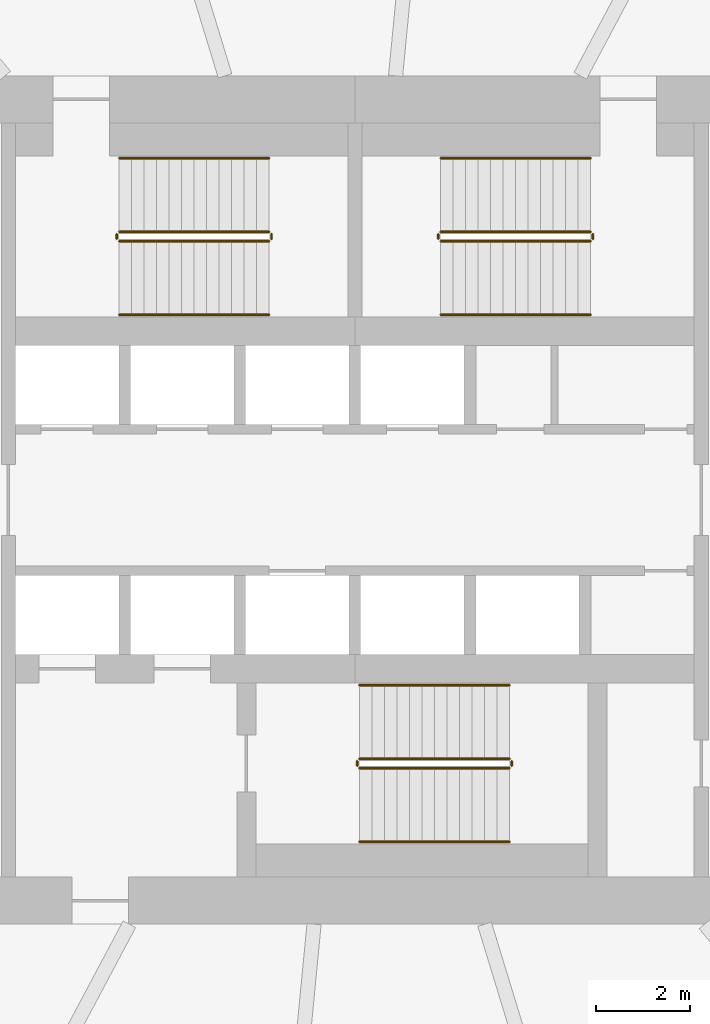
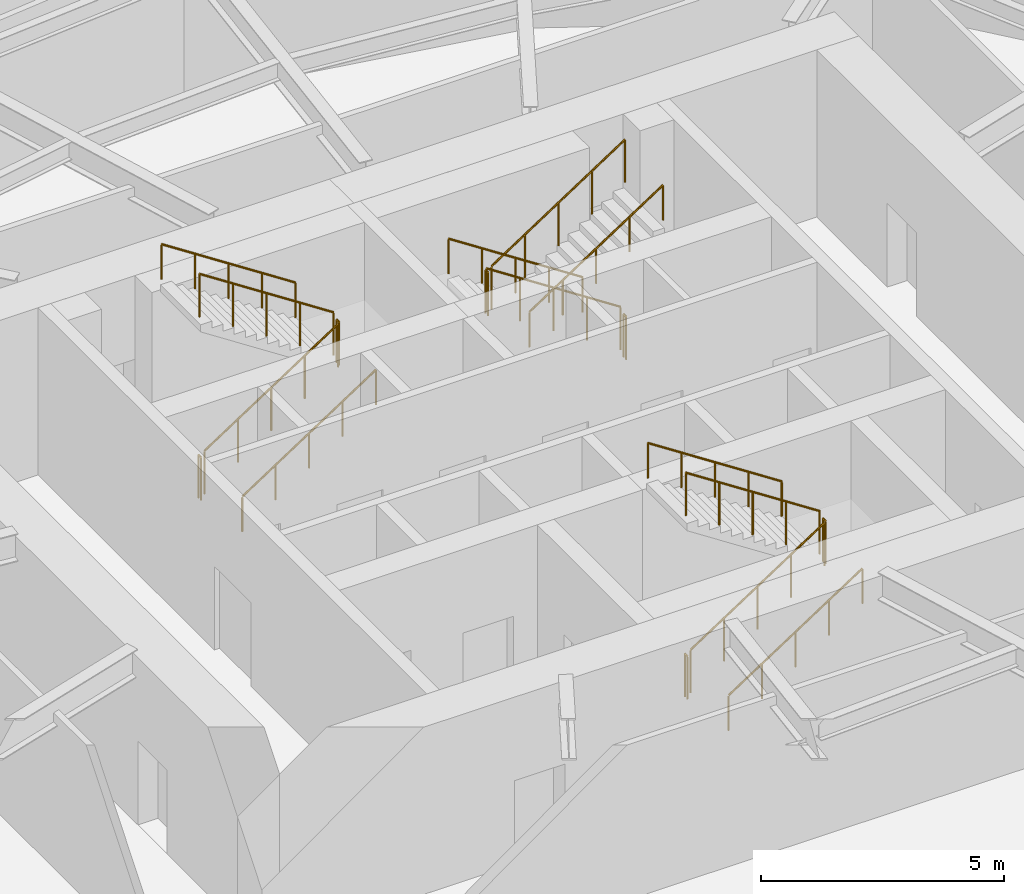
# One storey, part 23 of 23: 18 railings.
"""IFC4 building model written with IfcOpenShell, lengths in metres."""

from ifc_helpers import new_model, si_unit, direction, frame, origin, origin_2d, place, context, subcontext, project, spatial, circle, extrude, material, type_object, element, save


model = new_model("IFC4")

# Units and contexts
model_context = context("Model", 3, precision=1e-05, world=origin(), true_north=direction((0.0, 1.0)))
body_context = subcontext(model_context, "Body", "Model", "MODEL_VIEW")
ifc_project = project(units=[si_unit("LENGTHUNIT", "METRE"), si_unit("AREAUNIT", "SQUARE_METRE"), si_unit("VOLUMEUNIT", "CUBIC_METRE"), si_unit("PLANEANGLEUNIT", "RADIAN"), si_unit("MASSUNIT", "GRAM", prefix="KILO")], contexts=[model_context])

# Site, building, storey
site_placement = place(None, origin())
site = spatial("IfcSite", under=ifc_project, at=site_placement, CompositionType="ELEMENT")
building_placement = place(site_placement, origin())
building = spatial("IfcBuilding", under=site, at=building_placement, Name="Vermilion Reach Broadcast Tower", CompositionType="ELEMENT")
storey_placement = place(building_placement, frame((0.0, 0.0, 31.5)))
storey = spatial("IfcBuildingStorey", under=building, at=storey_placement, Name="L04", CompositionType="ELEMENT", Elevation=31.5)

# Railings
ifc_material_1 = material(Name="Stainless steel", Category="steel")
railing_type_1 = type_object("IfcRailingType", Name="Stair guard 1100", PredefinedType="GUARDRAIL", material=ifc_material_1)
railing_1_placement = place(storey_placement, frame((-11.0, 5.489990234375, 0.173095703125)))
element("IfcRailing", 1, at=railing_1_placement, inside=storey, type_object=railing_type_1, Name="L04 ST1 stair guard 1", PredefinedType="GUARDRAIL", context=body_context, shape_type="SweptSolid", body=[
    extrude(circle(Radius=0.02392578125, at=origin_2d()), frame((0.0, 0.0, 1.076171875), z_axis=(0.837244679093, 0.0, 0.546828444149), x_axis=(0.0, 1.0, 0.0)), (0.0, 0.0, 1.0), 3.798095703125),
    extrude(circle(Radius=0.02099609375, at=origin_2d()), origin(), (0.0, 0.0, 1.0), 1.052001953125),
    extrude(circle(Radius=0.02099609375, at=origin_2d()), frame((0.794921875, 0.0, 0.519287109375)), (0.0, 0.0, 1.0), 1.052001953125),
    extrude(circle(Radius=0.02099609375, at=origin_2d()), frame((1.58984375, 0.0, 1.03857421875)), (0.0, 0.0, 1.0), 1.052001953125),
    extrude(circle(Radius=0.02099609375, at=origin_2d()), frame((2.385009765625, 0.0, 1.5576171875)), (0.0, 0.0, 1.0), 1.052001953125),
    extrude(circle(Radius=0.02099609375, at=origin_2d()), frame((3.179931640625, 0.0, 2.076904296875)), (0.0, 0.0, 1.0), 1.052001953125),
])
railing_2_placement = place(storey_placement, frame((-7.77001953125, 5.5400390625, 2.25)))
element("IfcRailing", 2, at=railing_2_placement, inside=storey, type_object=railing_type_1, Name="L04 ST1 stair guard 2", PredefinedType="GUARDRAIL", context=body_context, shape_type="SweptSolid", body=[
    extrude(circle(Radius=0.02392578125, at=origin_2d()), frame((0.0, 0.0, 1.076171875), z_axis=(0.0, 1.0, 0.0), x_axis=(-1.0, 0.0, 0.0)), (0.0, 0.0, 1.0), 0.099853515625),
    extrude(circle(Radius=0.02099609375, at=origin_2d()), origin(), (0.0, 0.0, 1.0), 1.052001953125),
    extrude(circle(Radius=0.02099609375, at=origin_2d()), frame((0.0, 0.099853515625, 0.0)), (0.0, 0.0, 1.0), 1.052001953125),
])
railing_3_placement = place(storey_placement, frame((-7.820068359375, 5.68994140625, 2.423095703125)))
element("IfcRailing", 3, at=railing_3_placement, inside=storey, type_object=railing_type_1, Name="L04 ST1 stair guard 3", PredefinedType="GUARDRAIL", context=body_context, shape_type="SweptSolid", body=[
    extrude(circle(Radius=0.02392578125, at=origin_2d()), frame((0.0, 0.0, 1.076171875), z_axis=(-0.837244679093, 0.0, 0.546828444149), x_axis=(0.0, -1.0, 0.0)), (0.0, 0.0, 1.0), 3.798095703125),
    extrude(circle(Radius=0.02099609375, at=origin_2d()), origin(), (0.0, 0.0, 1.0), 1.052001953125),
    extrude(circle(Radius=0.02099609375, at=origin_2d()), frame((-0.794921875, 0.0, 0.519287109375)), (0.0, 0.0, 1.0), 1.052001953125),
    extrude(circle(Radius=0.02099609375, at=origin_2d()), frame((-1.58984375, 0.0, 1.03857421875)), (0.0, 0.0, 1.0), 1.052001953125),
    extrude(circle(Radius=0.02099609375, at=origin_2d()), frame((-2.385009765625, 0.0, 1.5576171875)), (0.0, 0.0, 1.0), 1.052001953125),
    extrude(circle(Radius=0.02099609375, at=origin_2d()), frame((-3.179931640625, 0.0, 2.076904296875)), (0.0, 0.0, 1.0), 1.052001953125),
])
railing_4_placement = place(storey_placement, frame((-11.050048828125, 5.5400390625, 0.0)))
element("IfcRailing", 4, at=railing_4_placement, inside=storey, type_object=railing_type_1, Name="L04 ST1 stair guard 4", PredefinedType="GUARDRAIL", context=body_context, shape_type="SweptSolid", body=[
    extrude(circle(Radius=0.02392578125, at=origin_2d()), frame((0.0, 0.0, 1.076171875), z_axis=(0.0, 1.0, 0.0), x_axis=(-1.0, 0.0, 0.0)), (0.0, 0.0, 1.0), 0.099853515625),
    extrude(circle(Radius=0.02099609375, at=origin_2d()), origin(), (0.0, 0.0, 1.0), 1.052001953125),
    extrude(circle(Radius=0.02099609375, at=origin_2d()), frame((0.0, 0.099853515625, 0.0)), (0.0, 0.0, 1.0), 1.052001953125),
])
railing_5_placement = place(storey_placement, frame((-1.0, 5.68994140625, 0.173095703125)))
element("IfcRailing", 5, at=railing_5_placement, inside=storey, type_object=railing_type_1, Name="L04 ST2 stair guard 1", PredefinedType="GUARDRAIL", context=body_context, shape_type="SweptSolid", body=[
    extrude(circle(Radius=0.02392578125, at=origin_2d()), frame((0.0, 0.0, 1.076171875), z_axis=(-0.837244679093, 0.0, 0.546828444149), x_axis=(0.0, -1.0, 0.0)), (0.0, 0.0, 1.0), 3.798095703125),
    extrude(circle(Radius=0.02099609375, at=origin_2d()), origin(), (0.0, 0.0, 1.0), 1.052001953125),
    extrude(circle(Radius=0.02099609375, at=origin_2d()), frame((-0.794921875, 0.0, 0.519287109375)), (0.0, 0.0, 1.0), 1.052001953125),
    extrude(circle(Radius=0.02099609375, at=origin_2d()), frame((-1.58984375, 0.0, 1.03857421875)), (0.0, 0.0, 1.0), 1.052001953125),
    extrude(circle(Radius=0.02099609375, at=origin_2d()), frame((-2.385009765625, 0.0, 1.5576171875)), (0.0, 0.0, 1.0), 1.052001953125),
    extrude(circle(Radius=0.02099609375, at=origin_2d()), frame((-3.179931640625, 0.0, 2.076904296875)), (0.0, 0.0, 1.0), 1.052001953125),
])
railing_6_placement = place(storey_placement, frame((-4.22998046875, 5.639892578125, 2.25)))
element("IfcRailing", 6, at=railing_6_placement, inside=storey, type_object=railing_type_1, Name="L04 ST2 stair guard 2", PredefinedType="GUARDRAIL", context=body_context, shape_type="SweptSolid", body=[
    extrude(circle(Radius=0.02392578125, at=origin_2d()), frame((0.0, 0.0, 1.076171875), z_axis=(0.0, -1.0, 0.0), x_axis=(1.0, 0.0, 0.0)), (0.0, 0.0, 1.0), 0.099853515625),
    extrude(circle(Radius=0.02099609375, at=origin_2d()), origin(), (0.0, 0.0, 1.0), 1.052001953125),
    extrude(circle(Radius=0.02099609375, at=origin_2d()), frame((0.0, -0.099853515625, 0.0)), (0.0, 0.0, 1.0), 1.052001953125),
])
railing_7_placement = place(storey_placement, frame((-4.179931640625, 5.489990234375, 2.423095703125)))
element("IfcRailing", 7, at=railing_7_placement, inside=storey, type_object=railing_type_1, Name="L04 ST2 stair guard 3", PredefinedType="GUARDRAIL", context=body_context, shape_type="SweptSolid", body=[
    extrude(circle(Radius=0.02392578125, at=origin_2d()), frame((0.0, 0.0, 1.076171875), z_axis=(0.837244679093, 0.0, 0.546828444149), x_axis=(0.0, 1.0, 0.0)), (0.0, 0.0, 1.0), 3.798095703125),
    extrude(circle(Radius=0.02099609375, at=origin_2d()), origin(), (0.0, 0.0, 1.0), 1.052001953125),
    extrude(circle(Radius=0.02099609375, at=origin_2d()), frame((0.794921875, 0.0, 0.519287109375)), (0.0, 0.0, 1.0), 1.052001953125),
    extrude(circle(Radius=0.02099609375, at=origin_2d()), frame((1.58984375, 0.0, 1.03857421875)), (0.0, 0.0, 1.0), 1.052001953125),
    extrude(circle(Radius=0.02099609375, at=origin_2d()), frame((2.385009765625, 0.0, 1.5576171875)), (0.0, 0.0, 1.0), 1.052001953125),
    extrude(circle(Radius=0.02099609375, at=origin_2d()), frame((3.179931640625, 0.0, 2.076904296875)), (0.0, 0.0, 1.0), 1.052001953125),
])
railing_8_placement = place(storey_placement, frame((-0.949951171875, 5.639892578125, 0.0)))
element("IfcRailing", 8, at=railing_8_placement, inside=storey, type_object=railing_type_1, Name="L04 ST2 stair guard 4", PredefinedType="GUARDRAIL", context=body_context, shape_type="SweptSolid", body=[
    extrude(circle(Radius=0.02392578125, at=origin_2d()), frame((0.0, 0.0, 1.076171875), z_axis=(0.0, -1.0, 0.0), x_axis=(1.0, 0.0, 0.0)), (0.0, 0.0, 1.0), 0.099853515625),
    extrude(circle(Radius=0.02099609375, at=origin_2d()), origin(), (0.0, 0.0, 1.0), 1.052001953125),
    extrude(circle(Radius=0.02099609375, at=origin_2d()), frame((0.0, -0.099853515625, 0.0)), (0.0, 0.0, 1.0), 1.052001953125),
])
railing_9_placement = place(storey_placement, frame((-5.89990234375, -5.68994140625, 0.173095703125)))
element("IfcRailing", 9, at=railing_9_placement, inside=storey, type_object=railing_type_1, Name="L04 ST3 stair guard 1", PredefinedType="GUARDRAIL", context=body_context, shape_type="SweptSolid", body=[
    extrude(circle(Radius=0.02392578125, at=origin_2d()), frame((0.0, 0.0, 1.076171875), z_axis=(0.837244679093, 0.0, 0.546828444149), x_axis=(0.0, 1.0, 0.0)), (0.0, 0.0, 1.0), 3.798095703125),
    extrude(circle(Radius=0.02099609375, at=origin_2d()), origin(), (0.0, 0.0, 1.0), 1.052001953125),
    extrude(circle(Radius=0.02099609375, at=origin_2d()), frame((0.794921875, 0.0, 0.519287109375)), (0.0, 0.0, 1.0), 1.052001953125),
    extrude(circle(Radius=0.02099609375, at=origin_2d()), frame((1.58984375, 0.0, 1.03857421875)), (0.0, 0.0, 1.0), 1.052001953125),
    extrude(circle(Radius=0.02099609375, at=origin_2d()), frame((2.385009765625, 0.0, 1.5576171875)), (0.0, 0.0, 1.0), 1.052001953125),
    extrude(circle(Radius=0.02099609375, at=origin_2d()), frame((3.179931640625, 0.0, 2.076904296875)), (0.0, 0.0, 1.0), 1.052001953125),
])
railing_10_placement = place(storey_placement, frame((-2.669921875, -5.639892578125, 2.25)))
element("IfcRailing", 10, at=railing_10_placement, inside=storey, type_object=railing_type_1, Name="L04 ST3 stair guard 2", PredefinedType="GUARDRAIL", context=body_context, shape_type="SweptSolid", body=[
    extrude(circle(Radius=0.02392578125, at=origin_2d()), frame((0.0, 0.0, 1.076171875), z_axis=(0.0, 1.0, 0.0), x_axis=(-1.0, 0.0, 0.0)), (0.0, 0.0, 1.0), 0.099853515625),
    extrude(circle(Radius=0.02099609375, at=origin_2d()), origin(), (0.0, 0.0, 1.0), 1.052001953125),
    extrude(circle(Radius=0.02099609375, at=origin_2d()), frame((0.0, 0.099853515625, 0.0)), (0.0, 0.0, 1.0), 1.052001953125),
])
railing_11_placement = place(storey_placement, frame((-2.719970703125, -5.489990234375, 2.423095703125)))
element("IfcRailing", 11, at=railing_11_placement, inside=storey, type_object=railing_type_1, Name="L04 ST3 stair guard 3", PredefinedType="GUARDRAIL", context=body_context, shape_type="SweptSolid", body=[
    extrude(circle(Radius=0.02392578125, at=origin_2d()), frame((0.0, 0.0, 1.076171875), z_axis=(-0.837244679093, 0.0, 0.546828444149), x_axis=(0.0, -1.0, 0.0)), (0.0, 0.0, 1.0), 3.798095703125),
    extrude(circle(Radius=0.02099609375, at=origin_2d()), origin(), (0.0, 0.0, 1.0), 1.052001953125),
    extrude(circle(Radius=0.02099609375, at=origin_2d()), frame((-0.794921875, 0.0, 0.519287109375)), (0.0, 0.0, 1.0), 1.052001953125),
    extrude(circle(Radius=0.02099609375, at=origin_2d()), frame((-1.58984375, 0.0, 1.03857421875)), (0.0, 0.0, 1.0), 1.052001953125),
    extrude(circle(Radius=0.02099609375, at=origin_2d()), frame((-2.385009765625, 0.0, 1.5576171875)), (0.0, 0.0, 1.0), 1.052001953125),
    extrude(circle(Radius=0.02099609375, at=origin_2d()), frame((-3.179931640625, 0.0, 2.076904296875)), (0.0, 0.0, 1.0), 1.052001953125),
])
railing_12_placement = place(storey_placement, frame((-5.949951171875, -5.639892578125, 0.0)))
element("IfcRailing", 12, at=railing_12_placement, inside=storey, type_object=railing_type_1, Name="L04 ST3 stair guard 4", PredefinedType="GUARDRAIL", context=body_context, shape_type="SweptSolid", body=[
    extrude(circle(Radius=0.02392578125, at=origin_2d()), frame((0.0, 0.0, 1.076171875), z_axis=(0.0, 1.0, 0.0), x_axis=(-1.0, 0.0, 0.0)), (0.0, 0.0, 1.0), 0.099853515625),
    extrude(circle(Radius=0.02099609375, at=origin_2d()), origin(), (0.0, 0.0, 1.0), 1.052001953125),
    extrude(circle(Radius=0.02099609375, at=origin_2d()), frame((0.0, 0.099853515625, 0.0)), (0.0, 0.0, 1.0), 1.052001953125),
])
ifc_material_2 = material(Name="Stainless steel", Category="steel")
railing_type_2 = type_object("IfcRailingType", Name="Stair handrail", PredefinedType="HANDRAIL", material=ifc_material_2)
railing_13_placement = place(storey_placement, frame((-11.0, 3.929931640625, 0.173095703125)))
element("IfcRailing", 13, at=railing_13_placement, inside=storey, type_object=railing_type_2, Name="L04 ST1 stair handrail 1", PredefinedType="HANDRAIL", context=body_context, shape_type="SweptSolid", body=[
    extrude(circle(Radius=0.02392578125, at=origin_2d()), frame((0.0, 0.0, 0.8759765625), z_axis=(0.837244679093, 0.0, 0.546828444149), x_axis=(0.0, 1.0, 0.0)), (0.0, 0.0, 1.0), 3.798095703125),
    extrude(circle(Radius=0.02099609375, at=origin_2d()), origin(), (0.0, 0.0, 1.0), 0.851806640625),
    extrude(circle(Radius=0.02099609375, at=origin_2d()), frame((0.794921875, 0.0, 0.519287109375)), (0.0, 0.0, 1.0), 0.851806640625),
    extrude(circle(Radius=0.02099609375, at=origin_2d()), frame((1.58984375, 0.0, 1.03857421875)), (0.0, 0.0, 1.0), 0.851806640625),
    extrude(circle(Radius=0.02099609375, at=origin_2d()), frame((2.385009765625, 0.0, 1.5576171875)), (0.0, 0.0, 1.0), 0.851806640625),
    extrude(circle(Radius=0.02099609375, at=origin_2d()), frame((3.179931640625, 0.0, 2.076904296875)), (0.0, 0.0, 1.0), 0.851806640625),
])
for number, where, name in (
    (14, (-7.820068359375, 7.25, 2.423095703125), "L04 ST1 stair handrail 2"),
    (15, (-1.0, 7.25, 0.173095703125), "L04 ST2 stair handrail 1"),
):
    element("IfcRailing", number, at=place(storey_placement, frame(where)), inside=storey, type_object=railing_type_2, Name=name, PredefinedType="HANDRAIL", context=body_context, shape_type="SweptSolid", body=[
        extrude(circle(Radius=0.02392578125, at=origin_2d()), frame((0.0, 0.0, 0.8759765625), z_axis=(-0.837244679093, 0.0, 0.546828444149), x_axis=(0.0, -1.0, 0.0)), (0.0, 0.0, 1.0), 3.798095703125),
        extrude(circle(Radius=0.02099609375, at=origin_2d()), origin(), (0.0, 0.0, 1.0), 0.851806640625),
        extrude(circle(Radius=0.02099609375, at=origin_2d()), frame((-0.794921875, 0.0, 0.519287109375)), (0.0, 0.0, 1.0), 0.851806640625),
        extrude(circle(Radius=0.02099609375, at=origin_2d()), frame((-1.58984375, 0.0, 1.03857421875)), (0.0, 0.0, 1.0), 0.851806640625),
        extrude(circle(Radius=0.02099609375, at=origin_2d()), frame((-2.385009765625, 0.0, 1.5576171875)), (0.0, 0.0, 1.0), 0.851806640625),
        extrude(circle(Radius=0.02099609375, at=origin_2d()), frame((-3.179931640625, 0.0, 2.076904296875)), (0.0, 0.0, 1.0), 0.851806640625),
    ])
for number, where, name in (
    (16, (-4.179931640625, 3.929931640625, 2.423095703125), "L04 ST2 stair handrail 2"),
    (17, (-5.89990234375, -7.25, 0.173095703125), "L04 ST3 stair handrail 1"),
):
    element("IfcRailing", number, at=place(storey_placement, frame(where)), inside=storey, type_object=railing_type_2, Name=name, PredefinedType="HANDRAIL", context=body_context, shape_type="SweptSolid", body=[
        extrude(circle(Radius=0.02392578125, at=origin_2d()), frame((0.0, 0.0, 0.8759765625), z_axis=(0.837244679093, 0.0, 0.546828444149), x_axis=(0.0, 1.0, 0.0)), (0.0, 0.0, 1.0), 3.798095703125),
        extrude(circle(Radius=0.02099609375, at=origin_2d()), origin(), (0.0, 0.0, 1.0), 0.851806640625),
        extrude(circle(Radius=0.02099609375, at=origin_2d()), frame((0.794921875, 0.0, 0.519287109375)), (0.0, 0.0, 1.0), 0.851806640625),
        extrude(circle(Radius=0.02099609375, at=origin_2d()), frame((1.58984375, 0.0, 1.03857421875)), (0.0, 0.0, 1.0), 0.851806640625),
        extrude(circle(Radius=0.02099609375, at=origin_2d()), frame((2.385009765625, 0.0, 1.5576171875)), (0.0, 0.0, 1.0), 0.851806640625),
        extrude(circle(Radius=0.02099609375, at=origin_2d()), frame((3.179931640625, 0.0, 2.076904296875)), (0.0, 0.0, 1.0), 0.851806640625),
    ])
railing_14_placement = place(storey_placement, frame((-2.719970703125, -3.929931640625, 2.423095703125)))
element("IfcRailing", 18, at=railing_14_placement, inside=storey, type_object=railing_type_2, Name="L04 ST3 stair handrail 2", PredefinedType="HANDRAIL", context=body_context, shape_type="SweptSolid", body=[
    extrude(circle(Radius=0.02392578125, at=origin_2d()), frame((0.0, 0.0, 0.8759765625), z_axis=(-0.837244679093, 0.0, 0.546828444149), x_axis=(0.0, -1.0, 0.0)), (0.0, 0.0, 1.0), 3.798095703125),
    extrude(circle(Radius=0.02099609375, at=origin_2d()), origin(), (0.0, 0.0, 1.0), 0.851806640625),
    extrude(circle(Radius=0.02099609375, at=origin_2d()), frame((-0.794921875, 0.0, 0.519287109375)), (0.0, 0.0, 1.0), 0.851806640625),
    extrude(circle(Radius=0.02099609375, at=origin_2d()), frame((-1.58984375, 0.0, 1.03857421875)), (0.0, 0.0, 1.0), 0.851806640625),
    extrude(circle(Radius=0.02099609375, at=origin_2d()), frame((-2.385009765625, 0.0, 1.5576171875)), (0.0, 0.0, 1.0), 0.851806640625),
    extrude(circle(Radius=0.02099609375, at=origin_2d()), frame((-3.179931640625, 0.0, 2.076904296875)), (0.0, 0.0, 1.0), 0.851806640625),
])

save(model, "model.ifc")
